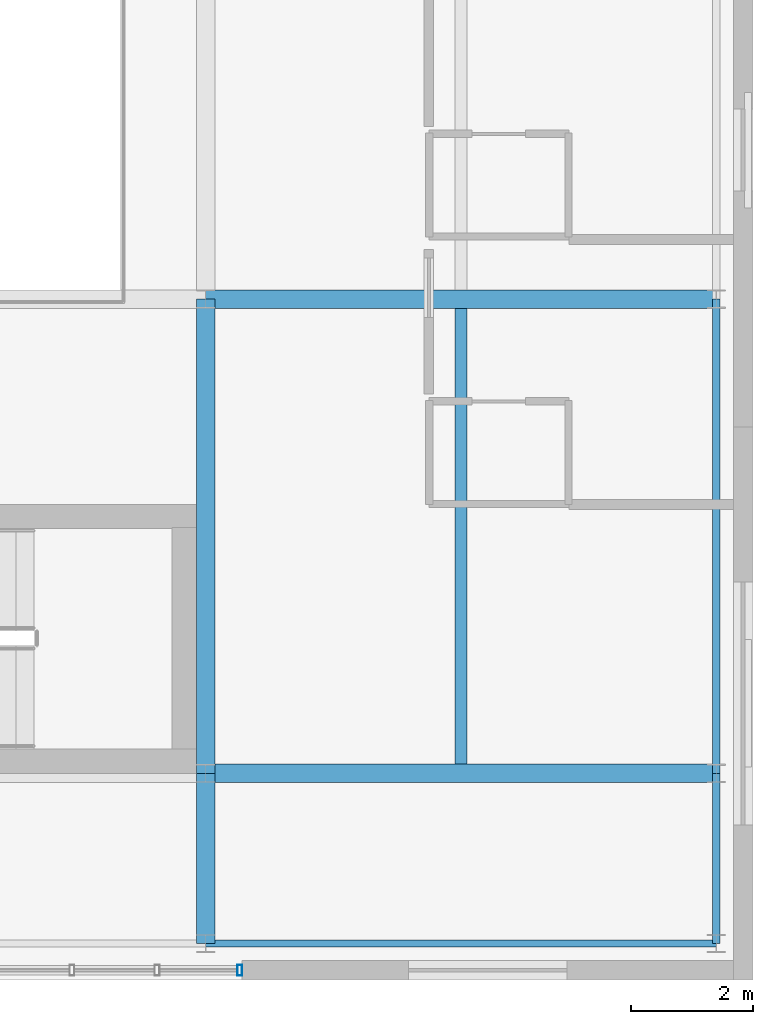
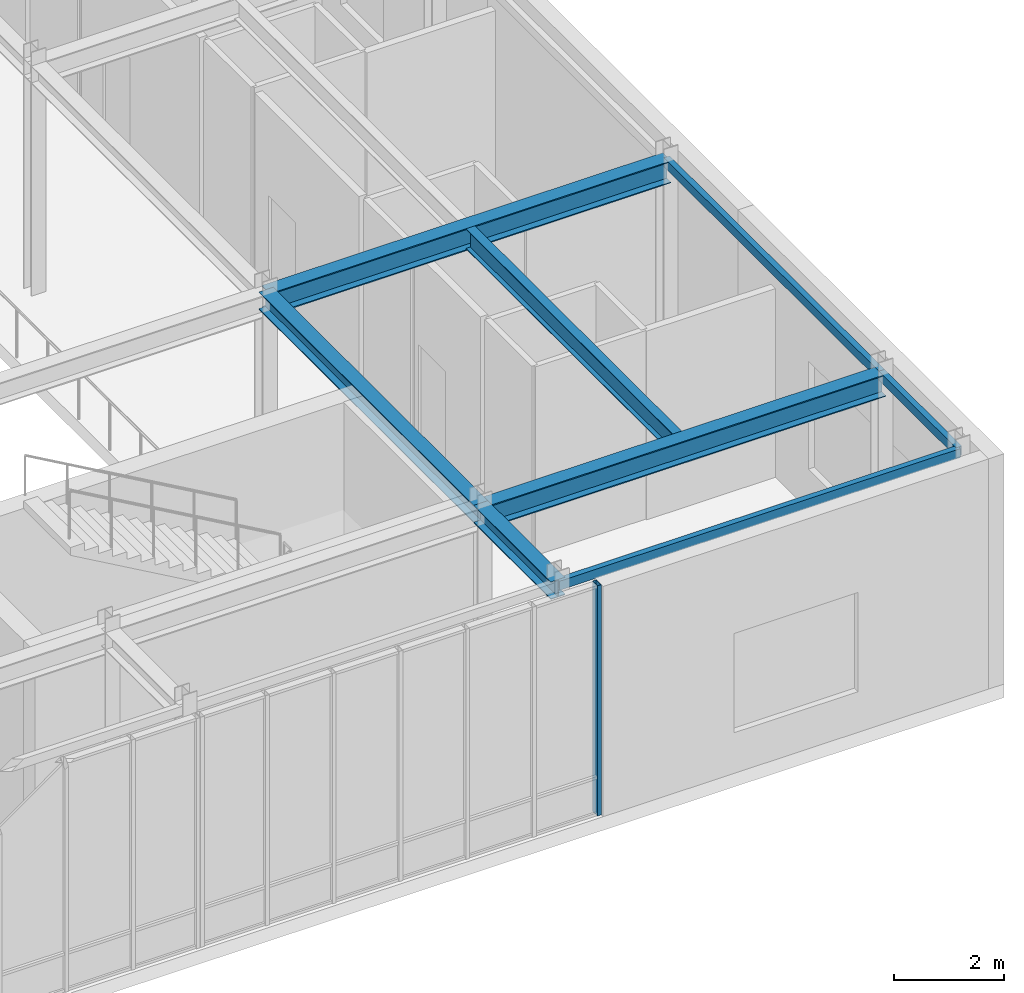
# One storey, part 81 of 139: 8 beams, 1 member, 1 element without a shape of its own.
"""IFC4 building model written with IfcOpenShell, lengths in metres."""

from ifc_helpers import new_model, si_unit, direction, frame, origin, origin_2d, place, context, subcontext, project, spatial, hollow_rectangle, i_section, extrude, material, layer, layer_set, material_profile, profile_set, type_object, element, aggregate, save


model = new_model("IFC4")

# Units and contexts
model_context = context("Model", 3, precision=1e-05, world=origin(), true_north=direction((0.0, 1.0)))
body_context = subcontext(model_context, "Body", "Model", "MODEL_VIEW")
ifc_project = project(units=[si_unit("LENGTHUNIT", "METRE"), si_unit("AREAUNIT", "SQUARE_METRE"), si_unit("VOLUMEUNIT", "CUBIC_METRE"), si_unit("PLANEANGLEUNIT", "RADIAN"), si_unit("MASSUNIT", "GRAM", prefix="KILO")], contexts=[model_context])

# Site, building, storey
site_placement = place(None, origin())
site = spatial("IfcSite", under=ifc_project, at=site_placement, CompositionType="ELEMENT")
building_placement = place(site_placement, origin())
building = spatial("IfcBuilding", under=site, at=building_placement, Name="Zayran Congress Hotel", CompositionType="ELEMENT")
storey_placement = place(building_placement, frame((0.0, 0.0, 5.39990234375)))
storey = spatial("IfcBuildingStorey", under=building, at=storey_placement, Name="L01", CompositionType="ELEMENT", Elevation=5.39990234375)

# Beams
ifc_material_1 = material(Name="Steel S355", Category="steel")
ifc_material_profile_1 = material_profile(ifc_material_1, i_section(OverallWidth=0.300048828125, OverallDepth=0.489990234375, WebThickness=0.011962890625, FlangeThickness=0.02294921875, at=origin_2d()), Name="HEA 500")
ifc_profile_set_1 = profile_set([ifc_material_profile_1], Name="Steel S355")
beam_type_1 = type_object("IfcBeamType", Name="TP-BM-05", PredefinedType="BEAM", material=ifc_profile_set_1)
for number, where, z_axis, x_axis, name in (
    (1, (184.199951171875, 9.39990234375, 4.85498046875), (1.0, 0.0, 0.0), (0.0, 1.0, 0.0), "BM-V3-L01-1120"),
    (2, (184.199951171875, 17.199951171875, 4.85498046875), (1.0, 0.0, 0.0), (0.0, 1.0, 0.0), "BM-V3-L01-1125"),
):
    element("IfcBeam", number, at=place(storey_placement, frame(where, z_axis=z_axis, x_axis=x_axis)), inside=storey, type_object=beam_type_1, Name=name, PredefinedType="BEAM", context=body_context, shape_type="SweptSolid", body=[
        extrude(i_section(OverallWidth=0.300048828125, OverallDepth=0.489990234375, WebThickness=0.011962890625, FlangeThickness=0.02294921875, at=origin_2d()), origin(), (0.0, 0.0, 1.0), 8.400146484375),
    ])
ifc_material_profile_2 = material_profile(ifc_material_1, i_section(OverallWidth=0.300048828125, OverallDepth=0.389892578125, WebThickness=0.010986328125, FlangeThickness=0.01904296875, at=origin_2d()), Name="HEA 400")
ifc_profile_set_2 = profile_set([ifc_material_profile_2], Name="Steel S355")
beam_type_2 = type_object("IfcBeamType", Name="TP-BM-06", PredefinedType="BEAM", material=ifc_profile_set_2)
beam_1_placement = place(storey_placement, frame((184.199951171875, 6.60009765625, 4.905029296875), z_axis=(0.0, 1.0, 0.0), x_axis=(-1.0, 0.0, 0.0)))
element("IfcBeam", 3, at=beam_1_placement, inside=storey, type_object=beam_type_2, Name="BM-V3-L01-1152", PredefinedType="BEAM", context=body_context, shape_type="SweptSolid", body=[
    extrude(i_section(OverallWidth=0.300048828125, OverallDepth=0.389892578125, WebThickness=0.010986328125, FlangeThickness=0.01904296875, at=origin_2d()), origin(), (0.0, 0.0, 1.0), 2.7998046875),
])
beam_2_placement = place(storey_placement, frame((184.199951171875, 9.39990234375, 4.905029296875), z_axis=(0.0, 1.0, 0.0), x_axis=(-1.0, 0.0, 0.0)))
element("IfcBeam", 4, at=beam_2_placement, inside=storey, type_object=beam_type_2, Name="BM-V3-L01-1153", PredefinedType="BEAM", context=body_context, shape_type="SweptSolid", body=[
    extrude(i_section(OverallWidth=0.300048828125, OverallDepth=0.389892578125, WebThickness=0.010986328125, FlangeThickness=0.01904296875, at=origin_2d()), origin(), (0.0, 0.0, 1.0), 7.800048828125),
])
ifc_material_profile_3 = material_profile(ifc_material_1, i_section(OverallWidth=0.18994140625, OverallDepth=0.449951171875, WebThickness=0.009521484375, FlangeThickness=0.0146484375, at=origin_2d()), Name="IPE 450")
ifc_profile_set_3 = profile_set([ifc_material_profile_3], Name="Steel S355")
beam_type_3 = type_object("IfcBeamType", Name="TP-JS-02", PredefinedType="JOIST", material=ifc_profile_set_3)
beam_3_placement = place(storey_placement, frame((188.39990234375, 9.550048828125, 4.875), z_axis=(0.0, 1.0, 0.0), x_axis=(-1.0, 0.0, 0.0)))
element("IfcBeam", 5, at=beam_3_placement, inside=storey, type_object=beam_type_3, Name="JST-V3-L01-1170", PredefinedType="JOIST", context=body_context, shape_type="SweptSolid", body=[
    extrude(i_section(OverallWidth=0.18994140625, OverallDepth=0.449951171875, WebThickness=0.009521484375, FlangeThickness=0.0146484375, at=origin_2d()), origin(), (0.0, 0.0, 1.0), 7.5),
])
ifc_material_profile_4 = material_profile(ifc_material_1, hollow_rectangle(XDim=0.1201171875, YDim=0.199951171875, WallThickness=0.008056640625, at=origin_2d()), Name="RHS 200x120x8")
ifc_profile_set_4 = profile_set([ifc_material_profile_4], Name="Steel S355")
beam_type_4 = type_object("IfcBeamType", Name="TP-SP-02", PredefinedType="SPANDREL", material=ifc_profile_set_4)
beam_4_placement = place(storey_placement, frame((184.199951171875, 6.60009765625, 5.0), z_axis=(1.0, 0.0, 0.0), x_axis=(0.0, 1.0, 0.0)))
element("IfcBeam", 6, at=beam_4_placement, inside=storey, type_object=beam_type_4, Name="BM-V3-L01-1115", PredefinedType="SPANDREL", context=body_context, shape_type="SweptSolid", body=[
    extrude(hollow_rectangle(XDim=0.1201171875, YDim=0.199951171875, WallThickness=0.008056640625, at=origin_2d()), origin(), (0.0, 0.0, 1.0), 8.400146484375),
])
beam_5_placement = place(storey_placement, frame((192.60009765625, 6.60009765625, 5.0), z_axis=(0.0, 1.0, 0.0), x_axis=(-1.0, 0.0, 0.0)))
element("IfcBeam", 7, at=beam_5_placement, inside=storey, type_object=beam_type_4, Name="BM-V3-L01-1157", PredefinedType="SPANDREL", context=body_context, shape_type="SweptSolid", body=[
    extrude(hollow_rectangle(XDim=0.1201171875, YDim=0.199951171875, WallThickness=0.008056640625, at=origin_2d()), origin(), (0.0, 0.0, 1.0), 2.7998046875),
])
beam_6_placement = place(storey_placement, frame((192.60009765625, 9.39990234375, 5.0), z_axis=(0.0, 1.0, 0.0), x_axis=(-1.0, 0.0, 0.0)))
element("IfcBeam", 8, at=beam_6_placement, inside=storey, type_object=beam_type_4, Name="BM-V3-L01-1158", PredefinedType="SPANDREL", context=body_context, shape_type="SweptSolid", body=[
    extrude(hollow_rectangle(XDim=0.1201171875, YDim=0.199951171875, WallThickness=0.008056640625, at=origin_2d()), origin(), (0.0, 0.0, 1.0), 7.800048828125),
])

# Curtain wall, member
ifc_material_2 = material(Name="Anodised aluminium and low-E insulated glass", Category="aluminium")
ifc_layer = layer(ifc_material_2, 0.179931640625)
ifc_layer_set = layer_set([ifc_layer], Name="Anodised aluminium and low-E insulated glass")
curtain_wall_type = type_object("IfcCurtainWallType", Name="CW-V3S-L01-CW-V32-8395-5100", PredefinedType="USERDEFINED", material=ifc_layer_set)
curtain_wall_placement = place(storey_placement, origin())
curtain_wall = element("IfcCurtainWall", 9, at=curtain_wall_placement, inside=storey, type_object=curtain_wall_type, Name="CW-V3S-L01-3", ObjectType="CURTAIN WALL", PredefinedType="USERDEFINED")
ifc_material_3 = material(Name="Anodised aluminium framing", Category="aluminium")
ifc_material_profile_5 = material_profile(ifc_material_3, hollow_rectangle(XDim=0.080078125, YDim=0.179931640625, WallThickness=0.0048828125, at=origin_2d()), Name="RHS 180x80x5")
ifc_profile_set_5 = profile_set([ifc_material_profile_5], Name="Anodised aluminium framing")
member_type = type_object("IfcMemberType", Name="TP-CWM-01", PredefinedType="MULLION", material=ifc_profile_set_5)
member_placement = place(storey_placement, frame((184.760009765625, 6.159912109375, 0.0), z_axis=(0.0, 0.0, 1.0), x_axis=(1.0, 0.0, 0.0)))
member = element("IfcMember", 10, at=member_placement, type_object=member_type, Name="CW-V3S-L01-3-M06", PredefinedType="MULLION", context=body_context, shape_type="SweptSolid", body=[
    extrude(hollow_rectangle(XDim=0.080078125, YDim=0.179931640625, WallThickness=0.0048828125, at=origin_2d()), origin(), (0.0, 0.0, 1.0), 5.10009765625),
])
aggregate(curtain_wall, [member])

save(model, "model.ifc")
